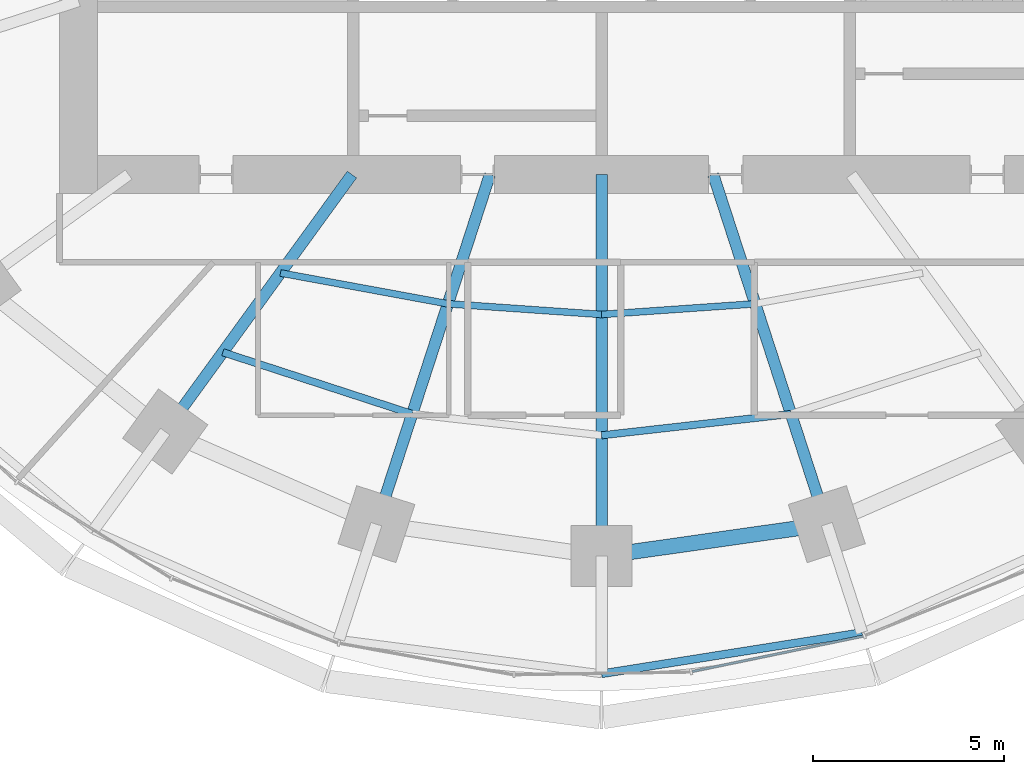
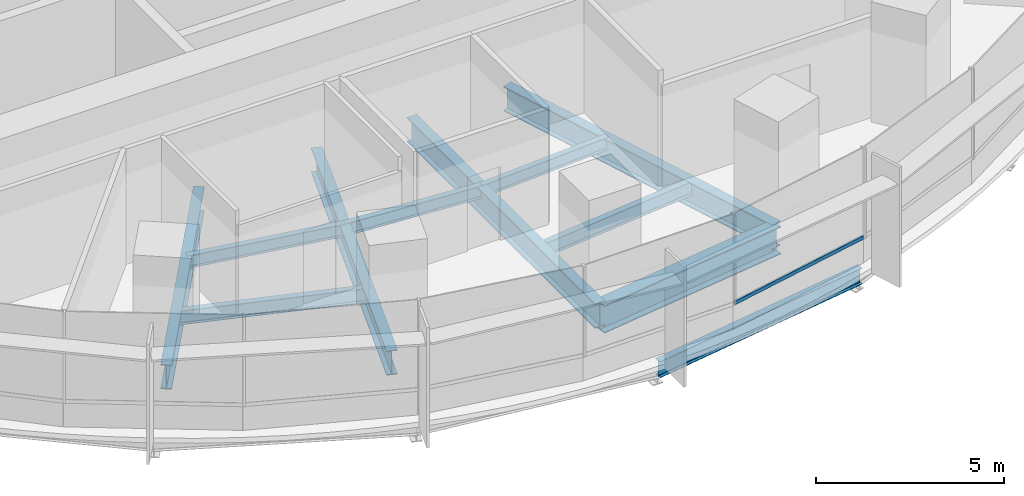
# One storey, part 3 of 14: 11 beams, 1 member, 1 element without a shape of its own.
"""IFC4 building model written with IfcOpenShell, lengths in metres."""

from ifc_helpers import new_model, si_unit, direction, frame, origin, origin_2d, place, context, subcontext, project, spatial, rectangle, i_section, extrude, material, material_profile, profile_set, type_object, element, aggregate, save


model = new_model("IFC4")

# Units and contexts
model_context = context("Model", 3, precision=1e-05, world=origin(), true_north=direction((0.0, 1.0)))
body_context = subcontext(model_context, "Body", "Model", "MODEL_VIEW")
ifc_project = project(units=[si_unit("LENGTHUNIT", "METRE"), si_unit("AREAUNIT", "SQUARE_METRE"), si_unit("VOLUMEUNIT", "CUBIC_METRE"), si_unit("PLANEANGLEUNIT", "RADIAN"), si_unit("MASSUNIT", "GRAM", prefix="KILO")], contexts=[model_context])

# Site, building, storey
site_placement = place(None, origin())
site = spatial("IfcSite", under=ifc_project, at=site_placement, CompositionType="ELEMENT")
building_placement = place(site_placement, origin())
building = spatial("IfcBuilding", under=site, at=building_placement, Name="Marramba Exchange Tower", CompositionType="ELEMENT")
storey_placement = place(building_placement, frame((0.0, 0.0, 131.39990234375)))
storey = spatial("IfcBuildingStorey", under=building, at=storey_placement, Name="L31", CompositionType="ELEMENT", Elevation=131.39990234375)

# Beams
ifc_material_1 = material(Name="Steel AS/NZS 3679.1 grade 300", Category="steel")
ifc_material_profile_1 = material_profile(ifc_material_1, i_section(OverallWidth=0.177978515625, OverallDepth=0.406005859375, WebThickness=0.0078125, FlangeThickness=0.0126953125, FilletRadius=0.011474609375, at=origin_2d()), Name="410UB59.7")
ifc_profile_set_1 = profile_set([ifc_material_profile_1], Name="Steel AS/NZS 3679.1 grade 300")
beam_type_1 = type_object("IfcBeamType", Name="Floor joist 410UB59.7", PredefinedType="JOIST", material=ifc_profile_set_1)
beam_1_placement = place(storey_placement, frame((-8.41162109375, -11.57763671875, -0.36279296875), z_axis=(0.983455754421, -0.181148500119, 0.0), x_axis=(0.181148500119, 0.983455754421, 0.0)))
element("IfcBeam", 1, at=beam_1_placement, inside=storey, type_object=beam_type_1, Name="Joist L31 bay 14 row 1", PredefinedType="JOIST", context=body_context, shape_type="SweptSolid", body=[
    extrude(i_section(OverallWidth=0.177978515625, OverallDepth=0.406005859375, WebThickness=0.0078125, FlangeThickness=0.0126953125, FilletRadius=0.011474609375, at=origin_2d()), origin(), (0.0, 0.0, 1.0), 4.4609375),
])
for number, where, z_axis, x_axis, name in (
    (2, (-4.0244140625, -12.3857421875, -0.36279296875), (0.99759625901, -0.069294328838, 0.0), (0.069294328838, 0.99759625901, 0.0), "Joist L31 bay 15 row 1"),
    (3, (0.0, -12.665283203125, -0.36279296875), (0.99759625901, 0.069294328838, 0.0), (-0.069294328838, 0.99759625901, 0.0), "Joist L31 bay 16 row 1"),
):
    element("IfcBeam", number, at=place(storey_placement, frame(where, z_axis=z_axis, x_axis=x_axis)), inside=storey, type_object=beam_type_1, Name=name, PredefinedType="JOIST", context=body_context, shape_type="SweptSolid", body=[
        extrude(i_section(OverallWidth=0.177978515625, OverallDepth=0.406005859375, WebThickness=0.0078125, FlangeThickness=0.0126953125, FilletRadius=0.011474609375, at=origin_2d()), origin(), (0.0, 0.0, 1.0), 4.0341796875),
    ])
ifc_material_profile_2 = material_profile(ifc_material_1, i_section(OverallWidth=0.18994140625, OverallDepth=0.4541015625, WebThickness=0.008544921875, FlangeThickness=0.0126953125, FilletRadius=0.011474609375, at=origin_2d()), Name="460UB67.1")
ifc_profile_set_2 = profile_set([ifc_material_profile_2], Name="Steel AS/NZS 3679.1 grade 300")
beam_type_2 = type_object("IfcBeamType", Name="Floor joist 460UB67.1", PredefinedType="JOIST", material=ifc_profile_set_2)
beam_2_placement = place(storey_placement, frame((-9.9208984375, -13.655029296875, -0.386962890625), z_axis=(0.950764024931, -0.309915744834, 0.0), x_axis=(0.309915744834, 0.950764024931, 0.0)))
element("IfcBeam", 4, at=beam_2_placement, inside=storey, type_object=beam_type_2, Name="Joist L31 bay 14 row 2", PredefinedType="JOIST", context=body_context, shape_type="SweptSolid", body=[
    extrude(i_section(OverallWidth=0.18994140625, OverallDepth=0.4541015625, WebThickness=0.008544921875, FlangeThickness=0.0126953125, FilletRadius=0.011474609375, at=origin_2d()), origin(), (0.0, 0.0, 1.0), 5.2158203125),
])
beam_3_placement = place(storey_placement, frame((0.0, -15.83056640625, -0.386962890625), z_axis=(0.993712018573, 0.111966174106, 0.0), x_axis=(-0.111966174106, 0.993712018573, 0.0)))
element("IfcBeam", 5, at=beam_3_placement, inside=storey, type_object=beam_type_2, Name="Joist L31 bay 16 row 2", PredefinedType="JOIST", context=body_context, shape_type="SweptSolid", body=[
    extrude(i_section(OverallWidth=0.18994140625, OverallDepth=0.4541015625, WebThickness=0.008544921875, FlangeThickness=0.0126953125, FilletRadius=0.011474609375, at=origin_2d()), origin(), (0.0, 0.0, 1.0), 4.993408203125),
])

# Curtain wall, member
ifc_material_2 = material(Name="Aluminium framing, bronze anodised", Category="aluminium")
curtain_wall_type = type_object("IfcCurtainWallType", Name="Office ribbon curtain wall", PredefinedType="USERDEFINED", material=ifc_material_2)
curtain_wall_placement = place(storey_placement, origin())
curtain_wall = element("IfcCurtainWall", 6, at=curtain_wall_placement, inside=storey, type_object=curtain_wall_type, Name="Curtain wall CW4 L31 F21-F25", ObjectType="RIBBON CURTAIN WALL", PredefinedType="USERDEFINED")
ifc_material_3 = material(Name="Aluminium transom, bronze anodised", Category="aluminium")
ifc_material_profile_3 = material_profile(ifc_material_3, rectangle(XDim=0.06005859375, YDim=0.1201171875, at=origin_2d()), Name="CW4 transom 60x120")
ifc_profile_set_3 = profile_set([ifc_material_profile_3], Name="Aluminium transom, bronze anodised")
member_type = type_object("IfcMemberType", Name="Office ribbon curtain wall transom", PredefinedType="USERDEFINED", material=ifc_profile_set_3)
member_placement = place(storey_placement, frame((2.374267578125, -22.017822265625, 0.830078125), z_axis=(0.979310422034, 0.202363774661, 0.0), x_axis=(-0.202363774661, 0.979310422034, 0.0)))
member = element("IfcMember", 7, at=member_placement, type_object=member_type, Name="CW4 sill transom", ObjectType="TRANSOM", PredefinedType="USERDEFINED", context=body_context, shape_type="SweptSolid", body=[
    extrude(rectangle(XDim=0.06005859375, YDim=0.1201171875, at=origin_2d()), origin(), (0.0, 0.0, 1.0), 4.57373046875),
])
aggregate(curtain_wall, [member])

# Beams
ifc_material_4 = material(Name="Steel AS/NZS 3679.2 grade 300", Category="steel")
ifc_material_profile_4 = material_profile(ifc_material_4, i_section(OverallWidth=0.300048828125, OverallDepth=0.800048828125, WebThickness=0.013916015625, FlangeThickness=0.031982421875, at=origin_2d()), Name="800WB192")
ifc_profile_set_4 = profile_set([ifc_material_profile_4], Name="Steel AS/NZS 3679.2 grade 300")
beam_type_3 = type_object("IfcBeamType", Name="Radial girder 800WB192", PredefinedType="BEAM", material=ifc_profile_set_4)
beam_4_placement = place(storey_placement, frame((-6.538818359375, -9.0, -0.559814453125), z_axis=(-0.587787877172, -0.809015087282, 0.0), x_axis=(0.809015087282, -0.587787877172, 0.0)))
element("IfcBeam", 8, at=beam_4_placement, inside=storey, type_object=beam_type_3, Name="Radial girder L31 TC14", PredefinedType="BEAM", context=body_context, shape_type="SweptSolid", body=[
    extrude(i_section(OverallWidth=0.300048828125, OverallDepth=0.800048828125, WebThickness=0.013916015625, FlangeThickness=0.031982421875, at=origin_2d()), origin(), (0.0, 0.0, 1.0), 8.322021484375),
])
beam_5_placement = place(storey_placement, frame((-2.92431640625, -9.0, -0.559814453125), z_axis=(-0.309022428985, -0.951054750466, 0.0), x_axis=(0.951054750466, -0.309022428985, 0.0)))
element("IfcBeam", 9, at=beam_5_placement, inside=storey, type_object=beam_type_3, Name="Radial girder L31 TC15", PredefinedType="BEAM", context=body_context, shape_type="SweptSolid", body=[
    extrude(i_section(OverallWidth=0.300048828125, OverallDepth=0.800048828125, WebThickness=0.013916015625, FlangeThickness=0.031982421875, at=origin_2d()), origin(), (0.0, 0.0, 1.0), 9.628173828125),
])
beam_6_placement = place(storey_placement, frame((0.0, -9.0, -0.559814453125), z_axis=(0.0, -1.0, 0.0), x_axis=(1.0, 0.0, 0.0)))
element("IfcBeam", 10, at=beam_6_placement, inside=storey, type_object=beam_type_3, Name="Radial girder L31 TC16", PredefinedType="BEAM", context=body_context, shape_type="SweptSolid", body=[
    extrude(i_section(OverallWidth=0.300048828125, OverallDepth=0.800048828125, WebThickness=0.013916015625, FlangeThickness=0.031982421875, at=origin_2d()), origin(), (0.0, 0.0, 1.0), 9.99609375),
])
beam_7_placement = place(storey_placement, frame((2.92431640625, -9.0, -0.559814453125), z_axis=(0.309022428985, -0.951054750466, 0.0), x_axis=(0.951054750466, 0.309022428985, 0.0)))
element("IfcBeam", 11, at=beam_7_placement, inside=storey, type_object=beam_type_3, Name="Radial girder L31 TC17", PredefinedType="BEAM", context=body_context, shape_type="SweptSolid", body=[
    extrude(i_section(OverallWidth=0.300048828125, OverallDepth=0.800048828125, WebThickness=0.013916015625, FlangeThickness=0.031982421875, at=origin_2d()), origin(), (0.0, 0.0, 1.0), 9.628173828125),
])
ifc_material_profile_5 = material_profile(ifc_material_4, i_section(OverallWidth=0.39990234375, OverallDepth=0.89990234375, WebThickness=0.01611328125, FlangeThickness=0.031982421875, at=origin_2d()), Name="900WB282")
ifc_profile_set_5 = profile_set([ifc_material_profile_5], Name="Steel AS/NZS 3679.2 grade 300")
beam_type_4 = type_object("IfcBeamType", Name="Ring beam 900WB282", PredefinedType="SPANDREL", material=ifc_profile_set_5)
beam_8_placement = place(storey_placement, frame((0.0, -18.99609375, -0.60986328125), z_axis=(0.990036163016, 0.140813337152, 0.0), x_axis=(-0.140813337152, 0.990036163016, 0.0)))
element("IfcBeam", 12, at=beam_8_placement, inside=storey, type_object=beam_type_4, Name="Ring beam L31 TC16-TC17", PredefinedType="SPANDREL", context=body_context, shape_type="SweptSolid", body=[
    extrude(i_section(OverallWidth=0.39990234375, OverallDepth=0.89990234375, WebThickness=0.01611328125, FlangeThickness=0.031982421875, at=origin_2d()), origin(), (0.0, 0.0, 1.0), 5.958984375),
])
ifc_material_profile_6 = material_profile(ifc_material_1, i_section(OverallWidth=0.208984375, OverallDepth=0.528076171875, WebThickness=0.009521484375, FlangeThickness=0.01318359375, FilletRadius=0.013916015625, at=origin_2d()), Name="530UB82.0")
ifc_profile_set_6 = profile_set([ifc_material_profile_6], Name="Steel AS/NZS 3679.1 grade 300")
beam_type_5 = type_object("IfcBeamType", Name="Slab edge beam 530UB82.0", PredefinedType="SPANDREL", material=ifc_profile_set_6)
beam_9_placement = place(storey_placement, frame((0.0, -22.076904296875, -0.423828125), z_axis=(0.987705008555, 0.15632919137, 0.0), x_axis=(-0.15632919137, 0.987705008555, 0.0)))
element("IfcBeam", 13, at=beam_9_placement, inside=storey, type_object=beam_type_5, Name="Slab edge beam L31 TC16-TC17", PredefinedType="SPANDREL", context=body_context, shape_type="SweptSolid", body=[
    extrude(i_section(OverallWidth=0.208984375, OverallDepth=0.528076171875, WebThickness=0.009521484375, FlangeThickness=0.01318359375, FilletRadius=0.013916015625, at=origin_2d()), origin(), (0.0, 0.0, 1.0), 6.907470703125),
])

save(model, "model.ifc")
